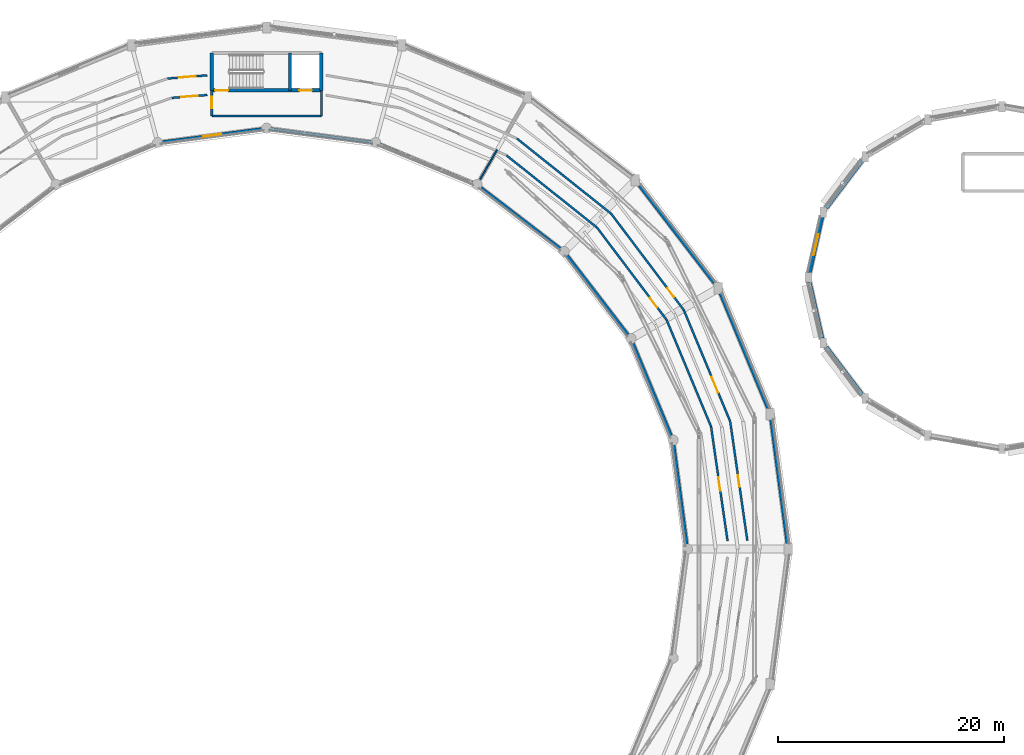
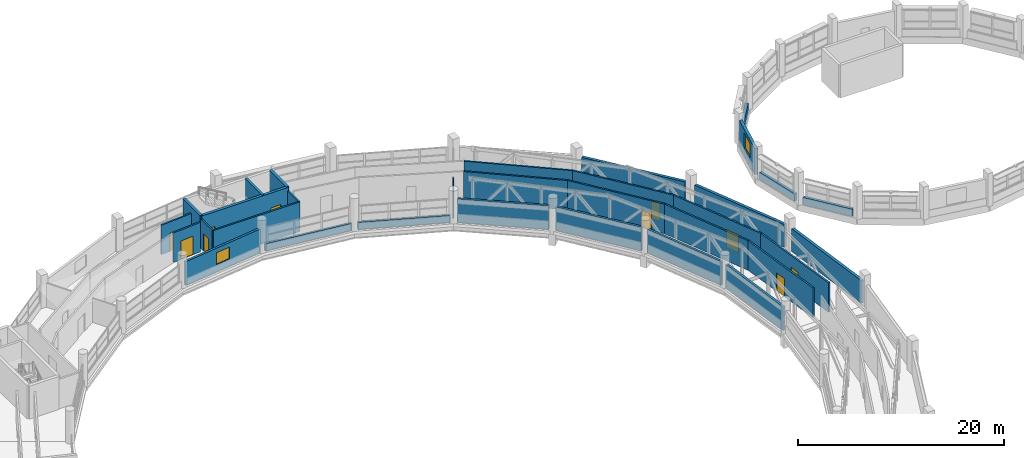
# One storey, part 104 of 121: 32 walls, 10 doors, 2 windows, 12 openings.
"""IFC4 building model written with IfcOpenShell, lengths in metres."""

from ifc_helpers import new_model, si_unit, direction, frame, frame_2d, origin, place, context, subcontext, project, spatial, rectangle, extrude, material, layer, layer_set, type_object, element, fill, save


model = new_model("IFC4")

# Units and contexts
model_context = context("Model", 3, precision=1e-05, world=origin(), true_north=direction((0.0, 1.0)))
body_context = subcontext(model_context, "Body", "Model", "MODEL_VIEW")
ifc_project = project(units=[si_unit("LENGTHUNIT", "METRE"), si_unit("AREAUNIT", "SQUARE_METRE"), si_unit("VOLUMEUNIT", "CUBIC_METRE"), si_unit("PLANEANGLEUNIT", "RADIAN"), si_unit("MASSUNIT", "GRAM", prefix="KILO")], contexts=[model_context])

# Site, building, storey
site_placement = place(None, origin())
site = spatial("IfcSite", under=ifc_project, at=site_placement, CompositionType="ELEMENT")
building_placement = place(site_placement, origin())
building = spatial("IfcBuilding", under=site, at=building_placement, Name="Vespera Passage Community Centre", CompositionType="ELEMENT")
storey_placement = place(building_placement, frame((0.0, 0.0, 8.699951171875)))
storey = spatial("IfcBuildingStorey", under=building, at=storey_placement, Name="L02", CompositionType="ELEMENT", Elevation=8.699951171875)

# Wall, openings, doors
ifc_material_1 = material(Name="Concrete f'c 45 MPa", Category="concrete")
ifc_layer_1 = layer(ifc_material_1, 0.300048828125)
ifc_layer_set_1 = layer_set([ifc_layer_1], Name="Concrete f'c 45 MPa")
wall_type_1 = type_object("IfcWallType", Name="WT-CORE-300I", PredefinedType="SHEAR", material=ifc_layer_set_1)
wall_1_placement = place(storey_placement, frame((82.844970703125, 106.050048828125, 0.0), z_axis=(0.0, 0.0, 1.0), x_axis=(-1.0, 0.0, 0.0)))
wall_1 = element("IfcWall", 1, at=wall_1_placement, inside=storey, type_object=wall_type_1, Name="Core C4 L02 Shear Wall FRONT", PredefinedType="SHEAR", context=body_context, shape_type="SweptSolid", body=[
    extrude(rectangle(XDim=9.68994140625, YDim=0.300048828125, at=frame_2d((4.844970703125, 0.0))), origin(), (0.0, 0.0, 1.0), 3.900146484375),
])
opening_1_placement = place(wall_1_placement, frame((8.2451171875, 0.0, 0.0)))
opening_1 = element("IfcOpeningElement", 2, at=opening_1_placement, cuts=wall_1, Name="Opening DT-STAIR-90", PredefinedType="OPENING", context=body_context, shape_type="SweptSolid", body=[
    extrude(rectangle(XDim=1.14990234375, YDim=2.14990234375, at=frame_2d((0.574951171875, 1.074951171875))), frame((0.0, 0.159912109375, 0.0), z_axis=(0.0, -1.0, 0.0), x_axis=(1.0, 0.0, 0.0)), (0.0, 0.0, 1.0), 0.320068359375),
])
opening_2_placement = place(wall_1_placement, frame((0.85009765625, 0.0, 0.0)))
opening_2 = element("IfcOpeningElement", 3, at=opening_2_placement, cuts=wall_1, Name="Opening DT-LIFT-110", PredefinedType="OPENING", context=body_context, shape_type="SweptSolid", body=[
    extrude(rectangle(XDim=1.10009765625, YDim=2.14990234375, at=frame_2d((0.550048828125, 1.074951171875))), frame((0.0, 0.159912109375, 0.0), z_axis=(0.0, -1.0, 0.0), x_axis=(1.0, 0.0, 0.0)), (0.0, 0.0, 1.0), 0.320068359375),
])
ifc_material_2 = material(Name="Painted hollow-metal acoustic door", Category="steel")
door_type_1 = type_object("IfcDoorType", Name="DT-LIFT-110", OperationType="NOTDEFINED", PredefinedType="DOOR", material=ifc_material_2)
door_1_placement = place(opening_2_placement, origin())
door_1 = element("IfcDoor", 4, at=door_1_placement, inside=storey, type_object=door_type_1, Name="Elevator EL-02 L02 Landing Door LD-019", OperationType="SLIDING_TO_LEFT", OverallHeight=2.14990234375, OverallWidth=1.10009765625, PredefinedType="DOOR", context=body_context, shape_type="SweptSolid", body=[
    extrude(rectangle(XDim=1.10009765625, YDim=2.14990234375, at=frame_2d((0.550048828125, 1.074951171875))), frame((0.0, 0.02490234375, 0.0), z_axis=(0.0, -1.0, 0.0), x_axis=(1.0, 0.0, 0.0)), (0.0, 0.0, 1.0), 0.050048828125),
])
fill(opening_2, door_1)
ifc_material_3 = material(Name="Painted hollow-metal acoustic door", Category="steel")
door_type_2 = type_object("IfcDoorType", Name="DT-STAIR-90", OperationType="NOTDEFINED", PredefinedType="DOOR", material=ifc_material_3)
door_2_placement = place(opening_1_placement, origin())
door_2 = element("IfcDoor", 5, at=door_2_placement, inside=storey, type_object=door_type_2, Name="Core C4 L02 Exit Stair Door D-092", OperationType="SINGLE_SWING_RIGHT", OverallHeight=2.14990234375, OverallWidth=1.14990234375, PredefinedType="DOOR", context=body_context, shape_type="SweptSolid", body=[
    extrude(rectangle(XDim=1.14990234375, YDim=2.14990234375, at=frame_2d((0.574951171875, 1.074951171875))), frame((0.0, 0.02490234375, 0.0), z_axis=(0.0, -1.0, 0.0), x_axis=(1.0, 0.0, 0.0)), (0.0, 0.0, 1.0), 0.050048828125),
])
fill(opening_1, door_2)

# Walls
for number, where, z_axis, x_axis, name in (
    (6, (73.155029296875, 106.050048828125, 0.0), (0.0, 0.0, 1.0), (0.0, 1.0, 0.0), "Core C4 L02 Shear Wall LEFT"),
    (7, (82.844970703125, 109.35009765625, 0.0), (0.0, 0.0, 1.0), (0.0, -1.0, 0.0), "Core C4 L02 Shear Wall RIGHT"),
):
    element("IfcWall", number, at=place(storey_placement, frame(where, z_axis=z_axis, x_axis=x_axis)), inside=storey, type_object=wall_type_1, Name=name, PredefinedType="SHEAR", context=body_context, shape_type="SweptSolid", body=[
        extrude(rectangle(XDim=3.300048828125, YDim=0.300048828125, at=frame_2d((1.64990234375, 0.0))), origin(), (0.0, 0.0, 1.0), 3.900146484375),
    ])
ifc_material_4 = material(Name="Gypsum board acoustic stud partition")
ifc_layer_2 = layer(ifc_material_4, 0.179931640625)
ifc_layer_set_2 = layer_set([ifc_layer_2], Name="Gypsum board acoustic stud partition")
wall_type_2 = type_object("IfcWallType", Name="WT-CORR-180I", PredefinedType="PARTITIONING", material=ifc_layer_set_2)
wall_2_placement = place(storey_placement, frame((73.155029296875, 103.800048828125, 0.0), z_axis=(0.0, 0.0, 1.0), x_axis=(1.0, 0.0, 0.0)))
element("IfcWall", 8, at=wall_2_placement, inside=storey, type_object=wall_type_2, Name="Core C4 L02 Lift Lobby Front Wall", PredefinedType="PARTITIONING", context=body_context, shape_type="SweptSolid", body=[
    extrude(rectangle(XDim=9.68994140625, YDim=0.179931640625, at=frame_2d((4.844970703125, 0.0))), origin(), (0.0, 0.0, 1.0), 3.4951171875),
])

# Wall, opening, door
wall_3_placement = place(storey_placement, frame((73.155029296875, 106.050048828125, 0.0), z_axis=(0.0, 0.0, 1.0), x_axis=(0.0, -1.0, 0.0)))
wall_3 = element("IfcWall", 9, at=wall_3_placement, inside=storey, type_object=wall_type_2, Name="Core C4 L02 Lift Lobby Side Wall L", PredefinedType="PARTITIONING", context=body_context, shape_type="SweptSolid", body=[
    extrude(rectangle(XDim=2.25, YDim=0.179931640625, at=frame_2d((1.125, 0.0))), origin(), (0.0, 0.0, 1.0), 3.4951171875),
])
opening_3_placement = place(wall_3_placement, frame((0.550048828125, 0.0, 0.0)))
opening_3 = element("IfcOpeningElement", 10, at=opening_3_placement, cuts=wall_3, Name="Opening DT-CORR-105", PredefinedType="OPENING", context=body_context, shape_type="SweptSolid", body=[
    extrude(rectangle(XDim=1.050048828125, YDim=2.10009765625, at=frame_2d((0.52490234375, 1.050048828125))), frame((0.0, 0.099853515625, 0.0), z_axis=(0.0, -1.0, 0.0), x_axis=(1.0, 0.0, 0.0)), (0.0, 0.0, 1.0), 0.199951171875),
])
ifc_material_5 = material(Name="Painted hollow-metal acoustic door", Category="steel")
door_type_3 = type_object("IfcDoorType", Name="DT-CORR-105", OperationType="NOTDEFINED", PredefinedType="DOOR", material=ifc_material_5)
door_3_placement = place(opening_3_placement, origin())
door_3 = element("IfcDoor", 11, at=door_3_placement, inside=storey, type_object=door_type_3, Name="Core C4 L02 Lift Lobby Door D-093", OperationType="SINGLE_SWING_LEFT", OverallHeight=2.10009765625, OverallWidth=1.050048828125, PredefinedType="DOOR", context=body_context, shape_type="SweptSolid", body=[
    extrude(rectangle(XDim=1.050048828125, YDim=2.10009765625, at=frame_2d((0.52490234375, 1.050048828125))), frame((0.0, 0.02490234375, 0.0), z_axis=(0.0, -1.0, 0.0), x_axis=(1.0, 0.0, 0.0)), (0.0, 0.0, 1.0), 0.050048828125),
])
fill(opening_3, door_3)

# Wall
wall_4_placement = place(storey_placement, frame((82.844970703125, 106.050048828125, 0.0), z_axis=(0.0, 0.0, 1.0), x_axis=(0.0, -1.0, 0.0)))
element("IfcWall", 12, at=wall_4_placement, inside=storey, type_object=wall_type_2, Name="Core C4 L02 Lift Lobby Side Wall R", PredefinedType="PARTITIONING", context=body_context, shape_type="SweptSolid", body=[
    extrude(rectangle(XDim=2.25, YDim=0.179931640625, at=frame_2d((1.125, 0.0))), origin(), (0.0, 0.0, 1.0), 3.4951171875),
])

# Wall, opening, door
wall_5_placement = place(storey_placement, frame((120.493408203125, 66.24169921875, 0.0), z_axis=(0.0, 0.0, 1.0), x_axis=(-0.142684560562, 0.98976821336, 0.0)))
wall_5 = element("IfcWall", 13, at=wall_5_placement, inside=storey, type_object=wall_type_2, Name="L02 Interior Partition V4-L02-CO01.1", PredefinedType="PARTITIONING", context=body_context, shape_type="SweptSolid", body=[
    extrude(rectangle(XDim=10.659912109375, YDim=0.179931640625, at=frame_2d((5.330078125, 0.0))), origin(), (0.0, 0.0, 1.0), 3.4951171875),
])
opening_4_placement = place(wall_5_placement, frame((4.804931640625, 0.0, 0.0)))
opening_4 = element("IfcOpeningElement", 14, at=opening_4_placement, cuts=wall_5, Name="Opening DT-CORR-105", PredefinedType="OPENING", context=body_context, shape_type="SweptSolid", body=[
    extrude(rectangle(XDim=1.050048828125, YDim=2.10009765625, at=frame_2d((0.52490234375, 1.050048828125))), frame((0.0, 0.099853515625, 0.0), z_axis=(0.0, -1.0, 0.0), x_axis=(1.0, 0.0, 0.0)), (0.0, 0.0, 1.0), 0.199951171875),
])
door_4_placement = place(opening_4_placement, origin())
door_4 = element("IfcDoor", 15, at=door_4_placement, inside=storey, type_object=door_type_3, Name="L02 Interior Door D-183", OperationType="SINGLE_SWING_LEFT", OverallHeight=2.10009765625, OverallWidth=1.050048828125, PredefinedType="DOOR", context=body_context, shape_type="SweptSolid", body=[
    extrude(rectangle(XDim=1.050048828125, YDim=2.10009765625, at=frame_2d((0.52490234375, 1.050048828125))), frame((0.0, 0.02490234375, 0.0), z_axis=(0.0, -1.0, 0.0), x_axis=(1.0, 0.0, 0.0)), (0.0, 0.0, 1.0), 0.050048828125),
])
fill(opening_4, door_4)

wall_6_placement = place(storey_placement, frame((118.743896484375, 66.211181640625, 0.0), z_axis=(0.0, 0.0, 1.0), x_axis=(-0.142718721117, 0.989763288187, 0.0)))
wall_6 = element("IfcWall", 16, at=wall_6_placement, inside=storey, type_object=wall_type_2, Name="L02 Interior Partition V4-L02-CI01.1", PredefinedType="PARTITIONING", context=body_context, shape_type="SweptSolid", body=[
    extrude(rectangle(XDim=10.22119140625, YDim=0.179931640625, at=frame_2d((5.110595703125, 0.0))), origin(), (0.0, 0.0, 1.0), 3.4951171875),
])
opening_5_placement = place(wall_6_placement, frame((4.510498046875, 0.0, 0.0)))
opening_5 = element("IfcOpeningElement", 17, at=opening_5_placement, cuts=wall_6, Name="Opening DT-CORR-120", PredefinedType="OPENING", context=body_context, shape_type="SweptSolid", body=[
    extrude(rectangle(XDim=1.199951171875, YDim=2.14990234375, at=frame_2d((0.60009765625, 1.074951171875))), frame((0.0, 0.099853515625, 0.0), z_axis=(0.0, -1.0, 0.0), x_axis=(1.0, 0.0, 0.0)), (0.0, 0.0, 1.0), 0.199951171875),
])
ifc_material_6 = material(Name="Painted hollow-metal acoustic door", Category="steel")
door_type_4 = type_object("IfcDoorType", Name="DT-CORR-120", OperationType="NOTDEFINED", PredefinedType="DOOR", material=ifc_material_6)
door_5_placement = place(opening_5_placement, origin())
door_5 = element("IfcDoor", 18, at=door_5_placement, inside=storey, type_object=door_type_4, Name="L02 Interior Door D-184", OperationType="SINGLE_SWING_RIGHT", OverallHeight=2.14990234375, OverallWidth=1.199951171875, PredefinedType="DOOR", context=body_context, shape_type="SweptSolid", body=[
    extrude(rectangle(XDim=1.199951171875, YDim=2.14990234375, at=frame_2d((0.60009765625, 1.074951171875))), frame((0.0, 0.02490234375, 0.0), z_axis=(0.0, -1.0, 0.0), x_axis=(1.0, 0.0, 0.0)), (0.0, 0.0, 1.0), 0.050048828125),
])
fill(opening_5, door_5)

wall_7_placement = place(storey_placement, frame((118.972412109375, 76.79248046875, 0.0), z_axis=(0.0, 0.0, 1.0), x_axis=(-0.38452594273, 0.923114185444, 0.0)))
wall_7 = element("IfcWall", 19, at=wall_7_placement, inside=storey, type_object=wall_type_2, Name="L02 Interior Partition V4-L02-CO02.1", PredefinedType="PARTITIONING", context=body_context, shape_type="SweptSolid", body=[
    extrude(rectangle(XDim=10.66015625, YDim=0.179931640625, at=frame_2d((5.330078125, 0.0))), origin(), (0.0, 0.0, 1.0), 3.4951171875),
])
opening_6_placement = place(wall_7_placement, frame((2.748046875, 0.0, 0.0)))
opening_6 = element("IfcOpeningElement", 20, at=opening_6_placement, cuts=wall_7, Name="Opening DT-CORR-150", PredefinedType="OPENING", context=body_context, shape_type="SweptSolid", body=[
    extrude(rectangle(XDim=1.5, YDim=2.14990234375, at=frame_2d((0.75, 1.074951171875))), frame((0.0, 0.099853515625, 0.0), z_axis=(0.0, -1.0, 0.0), x_axis=(1.0, 0.0, 0.0)), (0.0, 0.0, 1.0), 0.199951171875),
])
ifc_material_7 = material(Name="Painted hollow-metal acoustic door", Category="steel")
door_type_5 = type_object("IfcDoorType", Name="DT-CORR-150", OperationType="NOTDEFINED", PredefinedType="DOOR", material=ifc_material_7)
door_6_placement = place(opening_6_placement, origin())
door_6 = element("IfcDoor", 21, at=door_6_placement, inside=storey, type_object=door_type_5, Name="L02 Interior Door D-185", OperationType="SINGLE_SWING_LEFT", OverallHeight=2.14990234375, OverallWidth=1.5, PredefinedType="DOOR", context=body_context, shape_type="SweptSolid", body=[
    extrude(rectangle(XDim=1.5, YDim=2.14990234375, at=frame_2d((0.75, 1.074951171875))), frame((0.0, 0.02490234375, 0.0), z_axis=(0.0, -1.0, 0.0), x_axis=(1.0, 0.0, 0.0)), (0.0, 0.0, 1.0), 0.050048828125),
])
fill(opening_6, door_6)

# Wall
wall_8_placement = place(storey_placement, frame((117.28515625, 76.32763671875, 0.0), z_axis=(0.0, 0.0, 1.0), x_axis=(-0.384515315956, 0.923118611986, 0.0)))
element("IfcWall", 22, at=wall_8_placement, inside=storey, type_object=wall_type_2, Name="L02 Interior Partition V4-L02-CI02.1", PredefinedType="PARTITIONING", context=body_context, shape_type="SweptSolid", body=[
    extrude(rectangle(XDim=10.22119140625, YDim=0.179931640625, at=frame_2d((5.110595703125, 0.0))), origin(), (0.0, 0.0, 1.0), 3.4951171875),
])

# Wall, opening, door
wall_9_placement = place(storey_placement, frame((114.873291015625, 86.633056640625, 0.0), z_axis=(0.0, 0.0, 1.0), x_axis=(-0.602126882, 0.798400412057, 0.0)))
wall_9 = element("IfcWall", 23, at=wall_9_placement, inside=storey, type_object=wall_type_2, Name="L02 Interior Partition V4-L02-CO03.1", PredefinedType="PARTITIONING", context=body_context, shape_type="SweptSolid", body=[
    extrude(rectangle(XDim=10.66015625, YDim=0.179931640625, at=frame_2d((5.330078125, 0.0))), origin(), (0.0, 0.0, 1.0), 3.4951171875),
])
opening_7_placement = place(wall_9_placement, frame((1.45654296875, 0.0, 0.0)))
opening_7 = element("IfcOpeningElement", 24, at=opening_7_placement, cuts=wall_9, Name="Opening DT-CORR-95", PredefinedType="OPENING", context=body_context, shape_type="SweptSolid", body=[
    extrude(rectangle(XDim=0.949951171875, YDim=2.10009765625, at=frame_2d((0.47509765625, 1.050048828125))), frame((0.0, 0.099853515625, 0.0), z_axis=(0.0, -1.0, 0.0), x_axis=(1.0, 0.0, 0.0)), (0.0, 0.0, 1.0), 0.199951171875),
])
ifc_material_8 = material(Name="Painted hollow-metal acoustic door", Category="steel")
door_type_6 = type_object("IfcDoorType", Name="DT-CORR-95", OperationType="NOTDEFINED", PredefinedType="DOOR", material=ifc_material_8)
door_7_placement = place(opening_7_placement, origin())
door_7 = element("IfcDoor", 25, at=door_7_placement, inside=storey, type_object=door_type_6, Name="L02 Interior Door D-186", OperationType="SINGLE_SWING_RIGHT", OverallHeight=2.10009765625, OverallWidth=0.949951171875, PredefinedType="DOOR", context=body_context, shape_type="SweptSolid", body=[
    extrude(rectangle(XDim=0.949951171875, YDim=2.10009765625, at=frame_2d((0.47509765625, 1.050048828125))), frame((0.0, 0.02490234375, 0.0), z_axis=(0.0, -1.0, 0.0), x_axis=(1.0, 0.0, 0.0)), (0.0, 0.0, 1.0), 0.050048828125),
])
fill(opening_7, door_7)

wall_10_placement = place(storey_placement, frame((113.35498046875, 85.762939453125, 0.0), z_axis=(0.0, 0.0, 1.0), x_axis=(-0.602126625617, 0.798400605413, 0.0)))
wall_10 = element("IfcWall", 26, at=wall_10_placement, inside=storey, type_object=wall_type_2, Name="L02 Interior Partition V4-L02-CI03.1", PredefinedType="PARTITIONING", context=body_context, shape_type="SweptSolid", body=[
    extrude(rectangle(XDim=10.220947265625, YDim=0.179931640625, at=frame_2d((5.1103515625, 0.0))), origin(), (0.0, 0.0, 1.0), 3.4951171875),
])
opening_8_placement = place(wall_10_placement, frame((1.375732421875, 0.0, 0.0)))
opening_8 = element("IfcOpeningElement", 27, at=opening_8_placement, cuts=wall_10, Name="Opening DT-CORR-105", PredefinedType="OPENING", context=body_context, shape_type="SweptSolid", body=[
    extrude(rectangle(XDim=1.050048828125, YDim=2.10009765625, at=frame_2d((0.52490234375, 1.050048828125))), frame((0.0, 0.099853515625, 0.0), z_axis=(0.0, -1.0, 0.0), x_axis=(1.0, 0.0, 0.0)), (0.0, 0.0, 1.0), 0.199951171875),
])
door_8_placement = place(opening_8_placement, origin())
door_8 = element("IfcDoor", 28, at=door_8_placement, inside=storey, type_object=door_type_3, Name="L02 Interior Door D-187", OperationType="SINGLE_SWING_LEFT", OverallHeight=2.10009765625, OverallWidth=1.050048828125, PredefinedType="DOOR", context=body_context, shape_type="SweptSolid", body=[
    extrude(rectangle(XDim=1.050048828125, YDim=2.10009765625, at=frame_2d((0.52490234375, 1.050048828125))), frame((0.0, 0.02490234375, 0.0), z_axis=(0.0, -1.0, 0.0), x_axis=(1.0, 0.0, 0.0)), (0.0, 0.0, 1.0), 0.050048828125),
])
fill(opening_8, door_8)

# Walls
wall_11_placement = place(storey_placement, frame((108.45458984375, 95.14404296875, 0.0), z_axis=(0.0, 0.0, 1.0), x_axis=(-0.781864348705, 0.623448586673, 0.0)))
element("IfcWall", 29, at=wall_11_placement, inside=storey, type_object=wall_type_2, Name="L02 Interior Partition V4-L02-CO04.1", PredefinedType="PARTITIONING", context=body_context, shape_type="SweptSolid", body=[
    extrude(rectangle(XDim=10.66015625, YDim=0.179931640625, at=frame_2d((5.330078125, 0.0))), origin(), (0.0, 0.0, 1.0), 3.4951171875),
])
wall_12_placement = place(storey_placement, frame((107.20068359375, 93.92333984375, 0.0), z_axis=(0.0, 0.0, 1.0), x_axis=(-0.781872161755, 0.623438788232, 0.0)))
element("IfcWall", 30, at=wall_12_placement, inside=storey, type_object=wall_type_2, Name="L02 Interior Partition V4-L02-CI04.1", PredefinedType="PARTITIONING", context=body_context, shape_type="SweptSolid", body=[
    extrude(rectangle(XDim=10.22119140625, YDim=0.179931640625, at=frame_2d((5.110595703125, 0.0))), origin(), (0.0, 0.0, 1.0), 3.4951171875),
])

# Wall, opening, door
wall_13_placement = place(storey_placement, frame((72.7548828125, 107.376708984375, 0.0), z_axis=(0.0, 0.0, 1.0), x_axis=(-0.99669970506, -0.081176954446, 0.0)))
wall_13 = element("IfcWall", 31, at=wall_13_placement, inside=storey, type_object=wall_type_2, Name="L02 Interior Partition V4-L02-CO07.1", PredefinedType="PARTITIONING", context=body_context, shape_type="SweptSolid", body=[
    extrude(rectangle(XDim=3.503662109375, YDim=0.179931640625, at=frame_2d((1.751953125, 0.0))), origin(), (0.0, 0.0, 1.0), 3.4951171875),
])
opening_9_placement = place(wall_13_placement, frame((1.001953125, 0.0, 0.0)))
opening_9 = element("IfcOpeningElement", 32, at=opening_9_placement, cuts=wall_13, Name="Opening DT-CORR-150", PredefinedType="OPENING", context=body_context, shape_type="SweptSolid", body=[
    extrude(rectangle(XDim=1.5, YDim=2.14990234375, at=frame_2d((0.75, 1.074951171875))), frame((0.0, 0.099853515625, 0.0), z_axis=(0.0, -1.0, 0.0), x_axis=(1.0, 0.0, 0.0)), (0.0, 0.0, 1.0), 0.199951171875),
])
door_9_placement = place(opening_9_placement, origin())
door_9 = element("IfcDoor", 33, at=door_9_placement, inside=storey, type_object=door_type_5, Name="L02 Interior Door D-192", OperationType="SINGLE_SWING_RIGHT", OverallHeight=2.14990234375, OverallWidth=1.5, PredefinedType="DOOR", context=body_context, shape_type="SweptSolid", body=[
    extrude(rectangle(XDim=1.5, YDim=2.14990234375, at=frame_2d((0.75, 1.074951171875))), frame((0.0, 0.02490234375, 0.0), z_axis=(0.0, -1.0, 0.0), x_axis=(1.0, 0.0, 0.0)), (0.0, 0.0, 1.0), 0.050048828125),
])
fill(opening_9, door_9)

wall_14_placement = place(storey_placement, frame((72.7548828125, 105.635009765625, 0.0), z_axis=(0.0, 0.0, 1.0), x_axis=(-0.996693095602, -0.081258065316, 0.0)))
wall_14 = element("IfcWall", 34, at=wall_14_placement, inside=storey, type_object=wall_type_2, Name="L02 Interior Partition V4-L02-CI07.1", PredefinedType="PARTITIONING", context=body_context, shape_type="SweptSolid", body=[
    extrude(rectangle(XDim=3.142822265625, YDim=0.179931640625, at=frame_2d((1.5712890625, 0.0))), origin(), (0.0, 0.0, 1.0), 3.4951171875),
])
opening_10_placement = place(wall_14_placement, frame((0.846435546875, 0.0, 0.0)))
opening_10 = element("IfcOpeningElement", 35, at=opening_10_placement, cuts=wall_14, Name="Opening DT-PLANT-145", PredefinedType="OPENING", context=body_context, shape_type="SweptSolid", body=[
    extrude(rectangle(XDim=1.449951171875, YDim=2.199951171875, at=frame_2d((0.72509765625, 1.10009765625))), frame((0.0, 0.099853515625, 0.0), z_axis=(0.0, -1.0, 0.0), x_axis=(1.0, 0.0, 0.0)), (0.0, 0.0, 1.0), 0.199951171875),
])
ifc_material_9 = material(Name="Painted hollow-metal acoustic door", Category="steel")
door_type_7 = type_object("IfcDoorType", Name="DT-PLANT-145", OperationType="NOTDEFINED", PredefinedType="DOOR", material=ifc_material_9)
door_10_placement = place(opening_10_placement, origin())
door_10 = element("IfcDoor", 36, at=door_10_placement, inside=storey, type_object=door_type_7, Name="L02 Interior Door D-193", OperationType="SINGLE_SWING_LEFT", OverallHeight=2.199951171875, OverallWidth=1.449951171875, PredefinedType="DOOR", context=body_context, shape_type="SweptSolid", body=[
    extrude(rectangle(XDim=1.449951171875, YDim=2.199951171875, at=frame_2d((0.72509765625, 1.10009765625))), frame((0.0, 0.02490234375, 0.0), z_axis=(0.0, -1.0, 0.0), x_axis=(1.0, 0.0, 0.0)), (0.0, 0.0, 1.0), 0.050048828125),
])
fill(opening_10, door_10)

# Walls
ifc_material_10 = material(Name="Concrete f'c 45 MPa", Category="concrete")
ifc_layer_3 = layer(ifc_material_10, 0.239990234375)
ifc_layer_set_3 = layer_set([ifc_layer_3], Name="Concrete f'c 45 MPa")
wall_type_3 = type_object("IfcWallType", Name="WT-DIV-240I", PredefinedType="SHEAR", material=ifc_layer_set_3)
wall_15_placement = place(storey_placement, frame((80.074951171875, 106.050048828125, 0.0), z_axis=(0.0, 0.0, 1.0), x_axis=(0.0, 1.0, 0.0)))
element("IfcWall", 37, at=wall_15_placement, inside=storey, type_object=wall_type_3, Name="Core C4 L02 Hoistway Divider Wall", PredefinedType="SHEAR", context=body_context, shape_type="SweptSolid", body=[
    extrude(rectangle(XDim=3.300048828125, YDim=0.239990234375, at=frame_2d((1.64990234375, 0.0))), origin(), (0.0, 0.0, 1.0), 3.900146484375),
])
ifc_material_11 = material(Name="Precast concrete f'c 40 MPa", Category="concrete")
ifc_layer_4 = layer(ifc_material_11, 0.25)
ifc_layer_set_4 = layer_set([ifc_layer_4], Name="Precast concrete f'c 40 MPa")
wall_type_4 = type_object("IfcWallType", Name="WT-EXT-250E", PredefinedType="STANDARD", material=ifc_layer_set_4)
wall_16_placement = place(storey_placement, frame((115.163818359375, 65.775146484375, 0.0), z_axis=(0.0, 0.0, 1.0), x_axis=(-0.130549698469, 0.991441766434, 0.0)))
element("IfcWall", 38, at=wall_16_placement, inside=storey, type_object=wall_type_4, Name="V4 L02 Inner Court Precast Wall 0", PredefinedType="STANDARD", context=body_context, shape_type="SweptSolid", body=[
    extrude(rectangle(XDim=9.156005859375, YDim=0.25, at=frame_2d((4.578125, 0.0))), origin(), (0.0, 0.0, 1.0), 2.78955078125),
])
wall_17_placement = place(storey_placement, frame((113.817626953125, 75.405029296875, 0.0), z_axis=(0.0, 0.0, 1.0), x_axis=(-0.382681519675, 0.923880324771, 0.0)))
element("IfcWall", 39, at=wall_17_placement, inside=storey, type_object=wall_type_4, Name="V4 L02 Inner Court Precast Wall 1", PredefinedType="STANDARD", context=body_context, shape_type="SweptSolid", body=[
    extrude(rectangle(XDim=9.111572265625, YDim=0.25, at=frame_2d((4.5556640625, 0.0))), origin(), (0.0, 0.0, 1.0), 2.78955078125),
])
for number, where, z_axis, x_axis, name in (
    (40, (110.001220703125, 84.380126953125, 0.0), (0.0, 0.0, 1.0), (-0.608769580289, 0.793347085527, 0.0), "V4 L02 Inner Court Precast Wall 2"),
    (41, (104.024169921875, 92.019287109375, 0.0), (0.0, 0.0, 1.0), (-0.793347085527, 0.608769580289, 0.0), "V4 L02 Inner Court Precast Wall 3"),
):
    element("IfcWall", number, at=place(storey_placement, frame(where, z_axis=z_axis, x_axis=x_axis)), inside=storey, type_object=wall_type_4, Name=name, PredefinedType="STANDARD", context=body_context, shape_type="SweptSolid", body=[
        extrude(rectangle(XDim=9.0048828125, YDim=0.25, at=frame_2d((4.50244140625, 0.0))), origin(), (0.0, 0.0, 1.0), 2.78955078125),
    ])
wall_18_placement = place(storey_placement, frame((96.322998046875, 97.830810546875, 0.0), z_axis=(0.0, 0.0, 1.0), x_axis=(-0.923880324771, 0.382681519675, 0.0)))
element("IfcWall", 42, at=wall_18_placement, inside=storey, type_object=wall_type_4, Name="V4 L02 Court Spandrel Wall I4", PredefinedType="STANDARD", context=body_context, shape_type="SweptSolid", body=[
    extrude(rectangle(XDim=9.111572265625, YDim=0.25, at=frame_2d((4.5556640625, 0.0))), origin(), (0.0, 0.0, 1.0), 0.820068359375),
])
wall_19_placement = place(storey_placement, frame((87.352783203125, 101.468505859375, 0.0), z_axis=(0.0, 0.0, 1.0), x_axis=(-0.991441766434, 0.130549698469, 0.0)))
element("IfcWall", 43, at=wall_19_placement, inside=storey, type_object=wall_type_4, Name="V4 L02 Court Spandrel Wall I5", PredefinedType="STANDARD", context=body_context, shape_type="SweptSolid", body=[
    extrude(rectangle(XDim=9.156005859375, YDim=0.25, at=frame_2d((4.578125, 0.0))), origin(), (0.0, 0.0, 1.0), 0.820068359375),
])

# Wall, opening, window
wall_20_placement = place(storey_placement, frame((77.724853515625, 102.663818359375, 0.0), z_axis=(0.0, 0.0, 1.0), x_axis=(-0.991441766434, -0.130549698469, 0.0)))
wall_20 = element("IfcWall", 44, at=wall_20_placement, inside=storey, type_object=wall_type_4, Name="V4 L02 Inner Court Precast Wall 6", PredefinedType="STANDARD", context=body_context, shape_type="SweptSolid", body=[
    extrude(rectangle(XDim=9.156005859375, YDim=0.25, at=frame_2d((4.578125, 0.0))), origin(), (0.0, 0.0, 1.0), 2.78955078125),
])
opening_11_placement = place(wall_20_placement, frame((3.778076171875, 0.0, 0.85009765625)))
opening_11 = element("IfcOpeningElement", 45, at=opening_11_placement, cuts=wall_20, Name="Opening WN-05E", PredefinedType="OPENING", context=body_context, shape_type="SweptSolid", body=[
    extrude(rectangle(XDim=1.60009765625, YDim=1.39990234375, at=frame_2d((0.800048828125, 0.699951171875))), frame((0.0, 0.135009765625, 0.0), z_axis=(0.0, -1.0, 0.0), x_axis=(1.0, 0.0, 0.0)), (0.0, 0.0, 1.0), 0.27001953125),
])
ifc_material_12 = material(Name="Low-E insulated vision glass", Category="glass")
window_type_1 = type_object("IfcWindowType", Name="WN-05E", PartitioningType="SINGLE_PANEL", PredefinedType="WINDOW", material=ifc_material_12)
window_1_placement = place(opening_11_placement, origin())
window_1 = element("IfcWindow", 46, at=window_1_placement, inside=storey, type_object=window_type_1, Name="Window WN-V4-L02-I06", OverallHeight=1.39990234375, OverallWidth=1.60009765625, PartitioningType="SINGLE_PANEL", PredefinedType="WINDOW", context=body_context, shape_type="SweptSolid", body=[
    extrude(rectangle(XDim=1.60009765625, YDim=1.39990234375, at=frame_2d((0.800048828125, 0.699951171875))), frame((0.0, 0.030029296875, 0.0), z_axis=(0.0, -1.0, 0.0), x_axis=(1.0, 0.0, 0.0)), (0.0, 0.0, 1.0), 0.06005859375),
])
fill(opening_11, window_1)

# Walls
ifc_material_13 = material(Name="Precast concrete f'c 40 MPa", Category="concrete")
ifc_layer_5 = layer(ifc_material_13, 0.280029296875)
ifc_layer_set_5 = layer_set([ifc_layer_5], Name="Precast concrete f'c 40 MPa")
wall_type_5 = type_object("IfcWallType", Name="WT-EXT-280E", PredefinedType="STANDARD", material=ifc_layer_set_5)
wall_21_placement = place(storey_placement, frame((122.591796875, 76.956298828125, 0.0), z_axis=(0.0, 0.0, 1.0), x_axis=(0.130513242145, -0.991446566197, 0.0)))
element("IfcWall", 47, at=wall_21_placement, inside=storey, type_object=wall_type_5, Name="V4 L02 Outer Precast Wall 0", PredefinedType="STANDARD", context=body_context, shape_type="SweptSolid", body=[
    extrude(rectangle(XDim=11.075927734375, YDim=0.280029296875, at=frame_2d((5.5380859375, 0.0))), origin(), (0.0, 0.0, 1.0), 2.70556640625),
])
wall_22_placement = place(storey_placement, frame((118.121337890625, 88.072998046875, 0.0), z_axis=(0.0, 0.0, 1.0), x_axis=(0.382695413149, -0.923874569817, 0.0)))
element("IfcWall", 48, at=wall_22_placement, inside=storey, type_object=wall_type_5, Name="V4 L02 Outer Precast Wall 1", PredefinedType="STANDARD", context=body_context, shape_type="SweptSolid", body=[
    extrude(rectangle(XDim=11.002197265625, YDim=0.280029296875, at=frame_2d((5.5009765625, 0.0))), origin(), (0.0, 0.0, 1.0), 2.70556640625),
])
wall_23_placement = place(storey_placement, frame((110.95751953125, 97.628662109375, 0.0), z_axis=(0.0, 0.0, 1.0), x_axis=(0.608753590889, -0.79335935463, 0.0)))
element("IfcWall", 49, at=wall_23_placement, inside=storey, type_object=wall_type_5, Name="V4 L02 Outer Precast Wall 2", PredefinedType="STANDARD", context=body_context, shape_type="SweptSolid", body=[
    extrude(rectangle(XDim=10.852294921875, YDim=0.280029296875, at=frame_2d((5.42626953125, 0.0))), origin(), (0.0, 0.0, 1.0), 2.70556640625),
])
ifc_material_14 = material(Name="Precast concrete f'c 40 MPa", Category="concrete")
ifc_layer_6 = layer(ifc_material_14, 0.320068359375)
ifc_layer_set_6 = layer_set([ifc_layer_6], Name="Precast concrete f'c 40 MPa")
wall_type_6 = type_object("IfcWallType", Name="WT-EXT-320E", PredefinedType="STANDARD", material=ifc_layer_set_6)
wall_24_placement = place(storey_placement, frame((127.486572265625, 95.655029296875, 0.0), z_axis=(0.0, 0.0, 1.0), x_axis=(0.603398282319, 0.797439974477, 0.0)))
element("IfcWall", 50, at=wall_24_placement, inside=storey, type_object=wall_type_6, Name="V2 L02 Spandrel 7", PredefinedType="STANDARD", context=body_context, shape_type="SweptSolid", body=[
    extrude(rectangle(XDim=5.19873046875, YDim=0.320068359375, at=frame_2d((2.599365234375, 0.0))), origin(), (0.0, 0.0, 1.0), 0.85009765625),
])

# Wall, opening, window
wall_25_placement = place(storey_placement, frame((125.995849609375, 89.925537109375, 0.0), z_axis=(0.0, 0.0, 1.0), x_axis=(0.219744533343, 0.97555745093, 0.0)))
wall_25 = element("IfcWall", 51, at=wall_25_placement, inside=storey, type_object=wall_type_6, Name="V2 L02 Facade Wall 8", PredefinedType="STANDARD", context=body_context, shape_type="SweptSolid", body=[
    extrude(rectangle(XDim=5.05078125, YDim=0.320068359375, at=frame_2d((2.525390625, 0.0))), origin(), (0.0, 0.0, 1.0), 3.0849609375),
])
opening_12_placement = place(wall_25_placement, frame((1.575439453125, 0.0, 0.89990234375)))
opening_12 = element("IfcOpeningElement", 52, at=opening_12_placement, cuts=wall_25, Name="Opening WN-21E", PredefinedType="OPENING", context=body_context, shape_type="SweptSolid", body=[
    extrude(rectangle(XDim=1.89990234375, YDim=1.75, at=frame_2d((0.949951171875, 0.875))), frame((0.0, 0.170166015625, 0.0), z_axis=(0.0, -1.0, 0.0), x_axis=(1.0, 0.0, 0.0)), (0.0, 0.0, 1.0), 0.340087890625),
])
ifc_material_15 = material(Name="Low-E insulated vision glass", Category="glass")
window_type_2 = type_object("IfcWindowType", Name="WN-21E", PartitioningType="SINGLE_PANEL", PredefinedType="WINDOW", material=ifc_material_15)
window_2_placement = place(opening_12_placement, origin())
window_2 = element("IfcWindow", 53, at=window_2_placement, inside=storey, type_object=window_type_2, Name="Window WN-V2-L02-P08", OverallHeight=1.75, OverallWidth=1.89990234375, PartitioningType="SINGLE_PANEL", PredefinedType="WINDOW", context=body_context, shape_type="SweptSolid", body=[
    extrude(rectangle(XDim=1.89990234375, YDim=1.75, at=frame_2d((0.949951171875, 0.875))), frame((0.0, 0.030029296875, 0.0), z_axis=(0.0, -1.0, 0.0), x_axis=(1.0, 0.0, 0.0)), (0.0, 0.0, 1.0), 0.06005859375),
])
fill(opening_12, window_2)

# Walls
wall_26_placement = place(storey_placement, frame((127.105712890625, 84.147216796875, 0.0), z_axis=(0.0, 0.0, 1.0), x_axis=(-0.219744533343, 0.97555745093, 0.0)))
element("IfcWall", 54, at=wall_26_placement, inside=storey, type_object=wall_type_6, Name="V2 L02 Spandrel 9", PredefinedType="STANDARD", context=body_context, shape_type="SweptSolid", body=[
    extrude(rectangle(XDim=5.05078125, YDim=0.320068359375, at=frame_2d((2.525390625, 0.0))), origin(), (0.0, 0.0, 1.0), 0.85009765625),
])
wall_27_placement = place(storey_placement, frame((130.62353515625, 79.19921875, 0.0), z_axis=(0.0, 0.0, 1.0), x_axis=(-0.603398282319, 0.797439974477, 0.0)))
element("IfcWall", 55, at=wall_27_placement, inside=storey, type_object=wall_type_6, Name="V2 L02 Spandrel 10", PredefinedType="STANDARD", context=body_context, shape_type="SweptSolid", body=[
    extrude(rectangle(XDim=5.19873046875, YDim=0.320068359375, at=frame_2d((2.599365234375, 0.0))), origin(), (0.0, 0.0, 1.0), 0.85009765625),
])
ifc_material_16 = material(Name="Moisture-resistant gypsum stud partition")
ifc_layer_7 = layer(ifc_material_16, 0.1201171875)
ifc_layer_set_7 = layer_set([ifc_layer_7], Name="Moisture-resistant gypsum stud partition")
wall_type_7 = type_object("IfcWallType", Name="WT-WET-120I", PredefinedType="PARTITIONING", material=ifc_layer_set_7)
wall_28_placement = place(storey_placement, frame((96.875, 98.1923828125, 0.0), z_axis=(0.0, 0.0, 1.0), x_axis=(0.499990139034, 0.866031096941, 0.0)))
element("IfcWall", 56, at=wall_28_placement, inside=storey, type_object=wall_type_7, Name="L02 Interior Partition V4-L02-RI11-2.1", PredefinedType="PARTITIONING", context=body_context, shape_type="SweptSolid", body=[
    extrude(rectangle(XDim=3.0, YDim=0.1201171875, at=frame_2d((1.5, 0.0))), origin(), (0.0, 0.0, 1.0), 2.856689453125),
])

save(model, "model.ifc")
